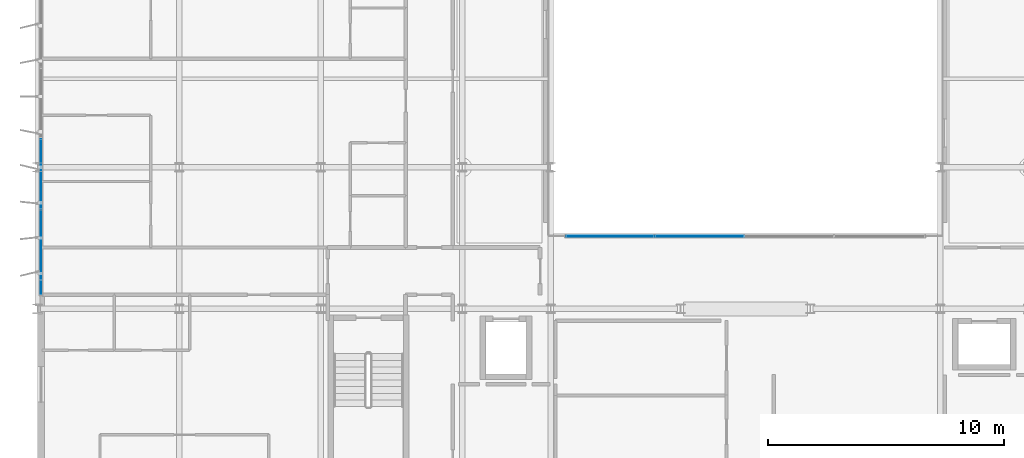
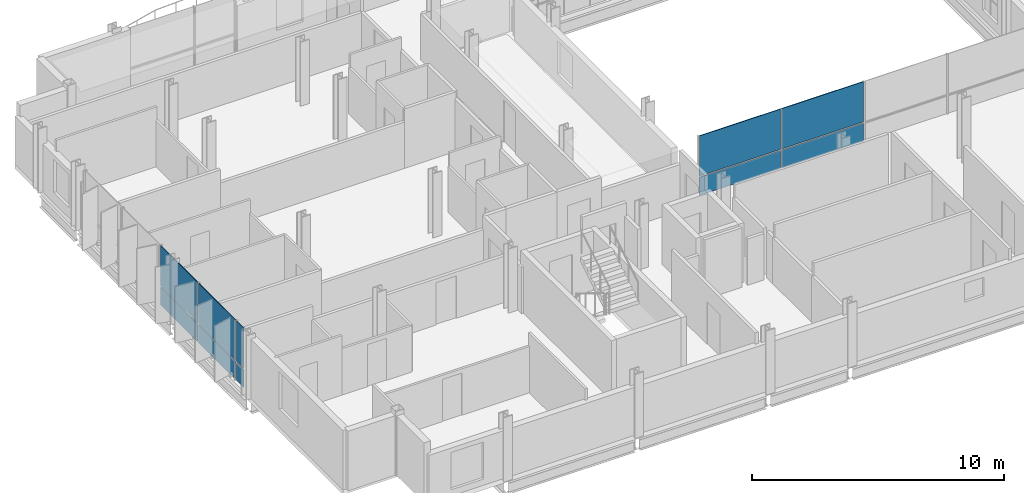
# One storey, part 24 of 38: 10 plates, 2 elements without a shape of their own.
"""IFC4 building model written with IfcOpenShell, lengths in metres."""

from ifc_helpers import new_model, si_unit, direction, frame, origin, origin_2d, place, context, subcontext, project, spatial, rectangle, extrude, material, layer, layer_set, type_object, element, aggregate, save


model = new_model("IFC4")

# Units and contexts
model_context = context("Model", 3, precision=1e-05, world=origin(), true_north=direction((0.0, 1.0)))
body_context = subcontext(model_context, "Body", "Model", "MODEL_VIEW")
ifc_project = project(units=[si_unit("LENGTHUNIT", "METRE"), si_unit("AREAUNIT", "SQUARE_METRE"), si_unit("VOLUMEUNIT", "CUBIC_METRE"), si_unit("PLANEANGLEUNIT", "RADIAN"), si_unit("MASSUNIT", "GRAM", prefix="KILO")], contexts=[model_context])

# Site, building, storey
site_placement = place(None, origin())
site = spatial("IfcSite", under=ifc_project, at=site_placement, CompositionType="ELEMENT")
building_placement = place(site_placement, origin())
building = spatial("IfcBuilding", under=site, at=building_placement, Name="Brevholm Reach", CompositionType="ELEMENT")
storey_placement = place(building_placement, frame((0.0, 0.0, 166.60009765625)))
storey = spatial("IfcBuildingStorey", under=building, at=storey_placement, Name="L50", CompositionType="ELEMENT", Elevation=166.60009765625)

# Curtain wall, plates
ifc_material_1 = material(Name="Dark Anodised Aluminium 6063-T6 and Solar-Control Glass", Category="aluminium")
ifc_layer_1 = layer(ifc_material_1, 0.14990234375)
ifc_layer_set_1 = layer_set([ifc_layer_1], Name="Dark Anodised Aluminium 6063-T6 and Solar-Control Glass")
curtain_wall_type_1 = type_object("IfcCurtainWallType", Name="CW-01", PredefinedType="NOTDEFINED", material=ifc_layer_set_1)
curtain_wall_1_placement = place(storey_placement, origin())
curtain_wall_1 = element("IfcCurtainWall", 1, at=curtain_wall_1_placement, inside=storey, type_object=curtain_wall_type_1, Name="L50 Curtain Wall CW-01", PredefinedType="NOTDEFINED")
ifc_material_2 = material(Name="Dark Solar-Control Double-Glazed IGU Glass", Category="glass")
ifc_layer_2 = layer(ifc_material_2, 0.028076171875)
ifc_layer_set_2 = layer_set([ifc_layer_2], Name="Dark Solar-Control Double-Glazed IGU Glass")
plate_type_1 = type_object("IfcPlateType", Name="CWP-GLZ-28", PredefinedType="CURTAIN_PANEL", material=ifc_layer_set_2)
plate_1_placement = place(storey_placement, frame((0.14990234375, 15.719970703125, 0.0), z_axis=(0.0, 0.0, 1.0), x_axis=(0.0, -1.0, 0.0)))
plate_1 = element("IfcPlate", 2, at=plate_1_placement, type_object=plate_type_1, Name="CP-01 Glazing Panel 3.1", PredefinedType="CURTAIN_PANEL", context=body_context, shape_type="SweptSolid", body=[
    extrude(rectangle(XDim=2.93505859375, YDim=0.028076171875, at=origin_2d()), origin(), (0.0, 0.0, 1.0), 0.867431640625),
])
plate_2_placement = place(storey_placement, frame((0.14990234375, 15.719970703125, 0.9326171875), z_axis=(0.0, 0.0, 1.0), x_axis=(0.0, -1.0, 0.0)))
plate_2 = element("IfcPlate", 3, at=plate_2_placement, type_object=plate_type_1, Name="CP-01 Glazing Panel 3.2", PredefinedType="CURTAIN_PANEL", context=body_context, shape_type="SweptSolid", body=[
    extrude(rectangle(XDim=2.93505859375, YDim=0.028076171875, at=origin_2d()), origin(), (0.0, 0.0, 1.0), 1.947509765625),
])
plate_3_placement = place(storey_placement, frame((0.14990234375, 12.719970703125, 0.0), z_axis=(0.0, 0.0, 1.0), x_axis=(0.0, -1.0, 0.0)))
plate_3 = element("IfcPlate", 4, at=plate_3_placement, type_object=plate_type_1, Name="CP-01 Glazing Panel 4.1", PredefinedType="CURTAIN_PANEL", context=body_context, shape_type="SweptSolid", body=[
    extrude(rectangle(XDim=2.93505859375, YDim=0.028076171875, at=origin_2d()), origin(), (0.0, 0.0, 1.0), 0.867431640625),
])
plate_4_placement = place(storey_placement, frame((0.14990234375, 12.719970703125, 0.9326171875), z_axis=(0.0, 0.0, 1.0), x_axis=(0.0, -1.0, 0.0)))
plate_4 = element("IfcPlate", 5, at=plate_4_placement, type_object=plate_type_1, Name="CP-01 Glazing Panel 4.2", PredefinedType="CURTAIN_PANEL", context=body_context, shape_type="SweptSolid", body=[
    extrude(rectangle(XDim=2.93505859375, YDim=0.028076171875, at=origin_2d()), origin(), (0.0, 0.0, 1.0), 1.947509765625),
])
plate_5_placement = place(storey_placement, frame((0.14990234375, 10.9013671875, 0.0), z_axis=(0.0, 0.0, 1.0), x_axis=(0.0, -1.0, 0.0)))
plate_5 = element("IfcPlate", 6, at=plate_5_placement, type_object=plate_type_1, Name="CP-01 Glazing Panel 5.1", PredefinedType="CURTAIN_PANEL", context=body_context, shape_type="SweptSolid", body=[
    extrude(rectangle(XDim=0.572509765625, YDim=0.028076171875, at=origin_2d()), origin(), (0.0, 0.0, 1.0), 0.867431640625),
])
plate_6_placement = place(storey_placement, frame((0.14990234375, 10.9013671875, 0.9326171875), z_axis=(0.0, 0.0, 1.0), x_axis=(0.0, -1.0, 0.0)))
plate_6 = element("IfcPlate", 7, at=plate_6_placement, type_object=plate_type_1, Name="CP-01 Glazing Panel 5.2", PredefinedType="CURTAIN_PANEL", context=body_context, shape_type="SweptSolid", body=[
    extrude(rectangle(XDim=0.572509765625, YDim=0.028076171875, at=origin_2d()), origin(), (0.0, 0.0, 1.0), 1.947509765625),
])
aggregate(curtain_wall_1, [plate_1, plate_2, plate_3, plate_4, plate_5, plate_6])

ifc_material_3 = material(Name="Dark Anodised Aluminium 6063-T6 and Solar-Control Glass", Category="aluminium")
ifc_layer_3 = layer(ifc_material_3, 0.139892578125)
ifc_layer_set_3 = layer_set([ifc_layer_3], Name="Dark Anodised Aluminium 6063-T6 and Solar-Control Glass")
curtain_wall_type_2 = type_object("IfcCurtainWallType", Name="CW-02", PredefinedType="NOTDEFINED", material=ifc_layer_set_3)
curtain_wall_2_placement = place(storey_placement, origin())
curtain_wall_2 = element("IfcCurtainWall", 8, at=curtain_wall_2_placement, inside=storey, type_object=curtain_wall_type_2, Name="L50 Curtain Wall CW-02", PredefinedType="NOTDEFINED")
ifc_material_4 = material(Name="Low-Iron Laminated Acoustic Glass", Category="glass")
ifc_layer_4 = layer(ifc_material_4, 0.035888671875)
ifc_layer_set_4 = layer_set([ifc_layer_4], Name="Low-Iron Laminated Acoustic Glass")
plate_type_2 = type_object("IfcPlateType", Name="CWP-GLZ-36", PredefinedType="CURTAIN_PANEL", material=ifc_layer_set_4)
plate_7_placement = place(storey_placement, frame((24.264892578125, 13.080078125, -0.000244140625), z_axis=(0.0, 0.0, 1.0), x_axis=(1.0, 0.0, 0.0)))
plate_7 = element("IfcPlate", 9, at=plate_7_placement, type_object=plate_type_2, Name="CP-02 Glazing Panel 1.1", PredefinedType="CURTAIN_PANEL", context=body_context, shape_type="SweptSolid", body=[
    extrude(rectangle(XDim=3.7099609375, YDim=0.035888671875, at=origin_2d()), origin(), (0.0, 0.0, 1.0), 0.8701171875),
])
plate_8_placement = place(storey_placement, frame((24.264892578125, 13.080078125, 0.9296875), z_axis=(0.0, 0.0, 1.0), x_axis=(1.0, 0.0, 0.0)))
plate_8 = element("IfcPlate", 10, at=plate_8_placement, type_object=plate_type_2, Name="CP-02 Glazing Panel 1.2", PredefinedType="CURTAIN_PANEL", context=body_context, shape_type="SweptSolid", body=[
    extrude(rectangle(XDim=3.7099609375, YDim=0.035888671875, at=origin_2d()), origin(), (0.0, 0.0, 1.0), 1.949951171875),
])
plate_9_placement = place(storey_placement, frame((28.050048828125, 13.080078125, -0.000244140625), z_axis=(0.0, 0.0, 1.0), x_axis=(1.0, 0.0, 0.0)))
plate_9 = element("IfcPlate", 11, at=plate_9_placement, type_object=plate_type_2, Name="CP-02 Glazing Panel 2.1", PredefinedType="CURTAIN_PANEL", context=body_context, shape_type="SweptSolid", body=[
    extrude(rectangle(XDim=3.739990234375, YDim=0.035888671875, at=origin_2d()), origin(), (0.0, 0.0, 1.0), 0.8701171875),
])
plate_10_placement = place(storey_placement, frame((28.050048828125, 13.080078125, 0.9296875), z_axis=(0.0, 0.0, 1.0), x_axis=(1.0, 0.0, 0.0)))
plate_10 = element("IfcPlate", 12, at=plate_10_placement, type_object=plate_type_2, Name="CP-02 Glazing Panel 2.2", PredefinedType="CURTAIN_PANEL", context=body_context, shape_type="SweptSolid", body=[
    extrude(rectangle(XDim=3.739990234375, YDim=0.035888671875, at=origin_2d()), origin(), (0.0, 0.0, 1.0), 1.949951171875),
])
aggregate(curtain_wall_2, [plate_7, plate_8, plate_9, plate_10])

save(model, "model.ifc")
